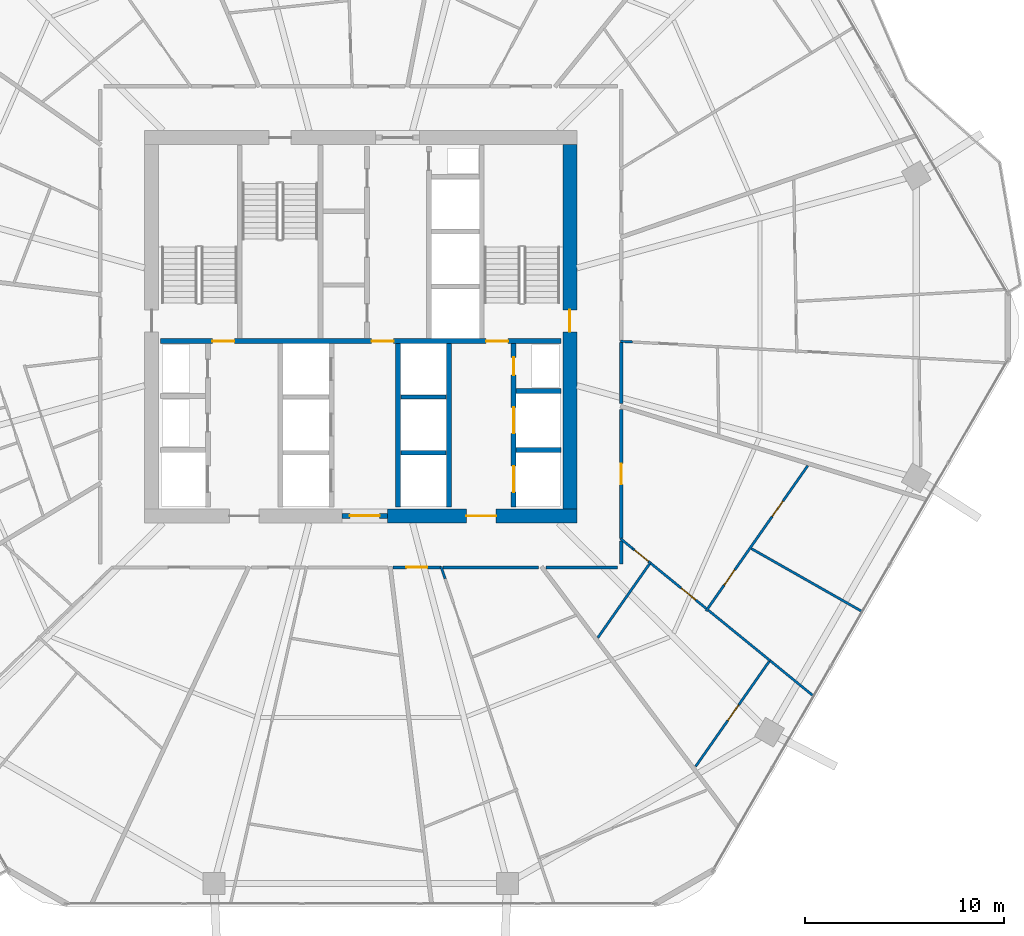
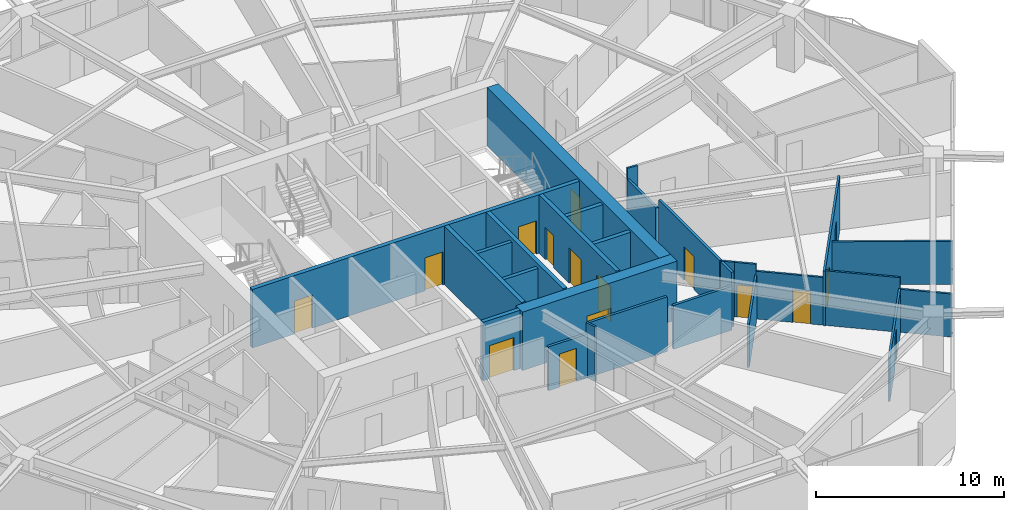
# One storey, part 26 of 32: 28 walls, 16 doors, 16 openings.
"""IFC4 building model written with IfcOpenShell, lengths in metres."""

from ifc_helpers import new_model, si_unit, direction, frame, frame_2d, origin, place, context, subcontext, project, spatial, rectangle, extrude, material, layer, layer_set, type_object, element, fill, save


model = new_model("IFC4")

# Units and contexts
model_context = context("Model", 3, precision=1e-05, world=origin(), true_north=direction((0.0, 1.0)))
body_context = subcontext(model_context, "Body", "Model", "MODEL_VIEW")
ifc_project = project(units=[si_unit("LENGTHUNIT", "METRE"), si_unit("AREAUNIT", "SQUARE_METRE"), si_unit("VOLUMEUNIT", "CUBIC_METRE"), si_unit("PLANEANGLEUNIT", "RADIAN"), si_unit("MASSUNIT", "GRAM", prefix="KILO")], contexts=[model_context])

# Site, building, storey
site_placement = place(None, origin())
site = spatial("IfcSite", under=ifc_project, at=site_placement, CompositionType="ELEMENT")
building_placement = place(site_placement, origin())
building = spatial("IfcBuilding", under=site, at=building_placement, Name="Zuhravey Tower", CompositionType="ELEMENT")
storey_placement = place(building_placement, frame((0.0, 0.0, 111.39990234375)))
storey = spatial("IfcBuildingStorey", under=building, at=storey_placement, Name="L27", CompositionType="ELEMENT", Elevation=111.39990234375)

# Wall, opening, door
ifc_material_1 = material(Name="Concrete C60/75", Category="concrete")
ifc_layer_1 = layer(ifc_material_1, 0.699951171875)
ifc_layer_set_1 = layer_set([ifc_layer_1], Name="Concrete C60/75")
wall_type_1 = type_object("IfcWallType", Name="Core Shear Wall 700", PredefinedType="SHEAR", material=ifc_layer_set_1)
wall_1_placement = place(storey_placement, frame((37.35009765625, 22.5, 0.0), z_axis=(0.0, 0.0, 1.0), x_axis=(1.0, 0.0, 0.0)))
wall_1 = element("IfcWall", 1, at=wall_1_placement, inside=storey, type_object=wall_type_1, Name="L27 South-East Core Shear Wall CW70", PredefinedType="SHEAR", context=body_context, shape_type="SweptSolid", body=[
    extrude(rectangle(XDim=9.5, YDim=0.699951171875, at=frame_2d((4.75, 0.0))), origin(), (0.0, 0.0, 1.0), 3.800048828125),
])
opening_1_placement = place(wall_1_placement, frame((3.949951171875, 0.0, 0.0)))
opening_1 = element("IfcOpeningElement", 2, at=opening_1_placement, cuts=wall_1, Name="Opening FFD1", PredefinedType="OPENING", context=body_context, shape_type="SweptSolid", body=[
    extrude(rectangle(XDim=1.5, YDim=2.14990234375, at=frame_2d((0.75, 1.074951171875))), frame((0.0, 0.362060546875, 0.0), z_axis=(0.0, -1.0, 0.0), x_axis=(1.0, 0.0, 0.0)), (0.0, 0.0, 1.0), 0.723876953125),
])
ifc_material_2 = material(Name="Galvanised fire-rated steel leaf", Category="steel")
door_type_1 = type_object("IfcDoorType", Name="Firefighting Lobby Double Door 1500x2150", OperationType="DOUBLE_DOOR_SINGLE_SWING", PredefinedType="DOOR", material=ifc_material_2)
door_1_placement = place(opening_1_placement, origin())
door_1 = element("IfcDoor", 3, at=door_1_placement, inside=storey, type_object=door_type_1, Name="L27 Firefighting Lobby East Door", OperationType="DOUBLE_DOOR_SINGLE_SWING", OverallHeight=2.14990234375, OverallWidth=1.5, PredefinedType="DOOR", context=body_context, shape_type="SweptSolid", body=[
    extrude(rectangle(XDim=1.5, YDim=2.14990234375, at=frame_2d((0.75, 1.074951171875))), frame((0.0, 0.02490234375, 0.0), z_axis=(0.0, -1.0, 0.0), x_axis=(1.0, 0.0, 0.0)), (0.0, 0.0, 1.0), 0.050048828125),
])
fill(opening_1, door_1)

wall_2_placement = place(storey_placement, frame((46.5, 22.85009765625, 0.0), z_axis=(0.0, 0.0, 1.0), x_axis=(0.0, 1.0, 0.0)))
wall_2 = element("IfcWall", 4, at=wall_2_placement, inside=storey, type_object=wall_type_1, Name="L27 East Core Shear Wall CW70", PredefinedType="SHEAR", context=body_context, shape_type="SweptSolid", body=[
    extrude(rectangle(XDim=18.2998046875, YDim=0.699951171875, at=frame_2d((9.14990234375, 0.0))), origin(), (0.0, 0.0, 1.0), 3.800048828125),
])
opening_2_placement = place(wall_2_placement, frame((8.89990234375, 0.0, 0.0)))
opening_2 = element("IfcOpeningElement", 5, at=opening_2_placement, cuts=wall_2, Name="Opening STD1", PredefinedType="OPENING", context=body_context, shape_type="SweptSolid", body=[
    extrude(rectangle(XDim=1.10009765625, YDim=2.14990234375, at=frame_2d((0.550048828125, 1.074951171875))), frame((0.0, 0.362060546875, 0.0), z_axis=(0.0, -1.0, 0.0), x_axis=(1.0, 0.0, 0.0)), (0.0, 0.0, 1.0), 0.723876953125),
])
door_type_2 = type_object("IfcDoorType", Name="Protected Stair Fire Door 1100x2150", OperationType="NOTDEFINED", PredefinedType="USERDEFINED", material=ifc_material_2)
door_2_placement = place(opening_2_placement, origin())
door_2 = element("IfcDoor", 6, at=door_2_placement, inside=storey, type_object=door_type_2, Name="L27 Stair ST2 Door", ObjectType="EXITDOOR", OperationType="SINGLE_SWING_LEFT", OverallHeight=2.14990234375, OverallWidth=1.10009765625, PredefinedType="USERDEFINED", context=body_context, shape_type="SweptSolid", body=[
    extrude(rectangle(XDim=1.10009765625, YDim=2.14990234375, at=frame_2d((0.550048828125, 1.074951171875))), frame((0.0, 0.02490234375, 0.0), z_axis=(0.0, -1.0, 0.0), x_axis=(1.0, 0.0, 0.0)), (0.0, 0.0, 1.0), 0.050048828125),
])
fill(opening_2, door_2)

ifc_material_3 = material(Name="Gypsum fire-rated stud partition")
ifc_layer_2 = layer(ifc_material_3, 0.159912109375)
ifc_layer_set_2 = layer_set([ifc_layer_2], Name="Gypsum fire-rated stud partition")
wall_type_2 = type_object("IfcWallType", Name="Corridor Fire Partition 160", PredefinedType="PARTITIONING", material=ifc_layer_set_2)
wall_3_placement = place(storey_placement, frame((37.610595703125, 19.919921875, 0.0), z_axis=(0.0, 0.0, 1.0), x_axis=(1.0, 0.0, 0.0)))
wall_3 = element("IfcWall", 7, at=wall_3_placement, inside=storey, type_object=wall_type_2, Name="L27 IW16 Partition 062", PredefinedType="PARTITIONING", context=body_context, shape_type="SweptSolid", body=[
    extrude(rectangle(XDim=2.414794921875, YDim=0.159912109375, at=frame_2d((1.20751953125, 0.0))), origin(), (0.0, 0.0, 1.0), 2.85009765625),
])
opening_3_placement = place(wall_3_placement, frame((0.6826171875, 0.0, 0.0)))
opening_3 = element("IfcOpeningElement", 8, at=opening_3_placement, cuts=wall_3, Name="Opening APD1", PredefinedType="OPENING", context=body_context, shape_type="SweptSolid", body=[
    extrude(rectangle(XDim=1.050048828125, YDim=2.14990234375, at=frame_2d((0.52490234375, 1.074951171875))), frame((0.0, 0.092041015625, 0.0), z_axis=(0.0, -1.0, 0.0), x_axis=(1.0, 0.0, 0.0)), (0.0, 0.0, 1.0), 0.183837890625),
])
ifc_material_4 = material(Name="Solid-core oak fire-rated leaf")
door_type_3 = type_object("IfcDoorType", Name="Apartment Entrance Fire Door 1050x2150", OperationType="NOTDEFINED", PredefinedType="DOOR", material=ifc_material_4)
door_3_placement = place(opening_3_placement, frame((1.050048828125, 0.0, 0.0), z_axis=(0.0, 0.0, 1.0), x_axis=(-1.0, 0.0, 0.0)))
door_3 = element("IfcDoor", 9, at=door_3_placement, inside=storey, type_object=door_type_3, Name="L27 Door 062.1", OperationType="SINGLE_SWING_LEFT", OverallHeight=2.14990234375, OverallWidth=1.050048828125, PredefinedType="DOOR", context=body_context, shape_type="SweptSolid", body=[
    extrude(rectangle(XDim=1.050048828125, YDim=2.14990234375, at=frame_2d((0.52490234375, 1.074951171875))), frame((0.0, 0.02490234375, 0.0), z_axis=(0.0, -1.0, 0.0), x_axis=(1.0, 0.0, 0.0)), (0.0, 0.0, 1.0), 0.050048828125),
])
fill(opening_3, door_3)

wall_4_placement = place(storey_placement, frame((49.080078125, 21.35791015625, 0.0), z_axis=(0.0, 0.0, 1.0), x_axis=(0.0, 1.0, 0.0)))
wall_4 = element("IfcWall", 10, at=wall_4_placement, inside=storey, type_object=wall_type_2, Name="L27 IW16 Partition 068", PredefinedType="PARTITIONING", context=body_context, shape_type="SweptSolid", body=[
    extrude(rectangle(XDim=6.4970703125, YDim=0.159912109375, at=frame_2d((3.24853515625, 0.0))), origin(), (0.0, 0.0, 1.0), 3.550048828125),
])
opening_4_placement = place(wall_4_placement, frame((2.723388671875, 0.0, 0.0)))
opening_4 = element("IfcOpeningElement", 11, at=opening_4_placement, cuts=wall_4, Name="Opening APD1", PredefinedType="OPENING", context=body_context, shape_type="SweptSolid", body=[
    extrude(rectangle(XDim=1.050048828125, YDim=2.14990234375, at=frame_2d((0.52490234375, 1.074951171875))), frame((0.0, 0.092041015625, 0.0), z_axis=(0.0, -1.0, 0.0), x_axis=(1.0, 0.0, 0.0)), (0.0, 0.0, 1.0), 0.183837890625),
])
door_4_placement = place(opening_4_placement, frame((1.050048828125, 0.0, 0.0), z_axis=(0.0, 0.0, 1.0), x_axis=(-1.0, 0.0, 0.0)))
door_4 = element("IfcDoor", 12, at=door_4_placement, inside=storey, type_object=door_type_3, Name="L27 Door 068.1", OperationType="SINGLE_SWING_LEFT", OverallHeight=2.14990234375, OverallWidth=1.050048828125, PredefinedType="DOOR", context=body_context, shape_type="SweptSolid", body=[
    extrude(rectangle(XDim=1.050048828125, YDim=2.14990234375, at=frame_2d((0.52490234375, 1.074951171875))), frame((0.0, 0.02490234375, 0.0), z_axis=(0.0, -1.0, 0.0), x_axis=(1.0, 0.0, 0.0)), (0.0, 0.0, 1.0), 0.050048828125),
])
fill(opening_4, door_4)

# Walls
wall_5_placement = place(storey_placement, frame((40.118408203125, 19.919921875, 0.0), z_axis=(0.0, 0.0, 1.0), x_axis=(1.0, 0.0, 0.0)))
element("IfcWall", 13, at=wall_5_placement, inside=storey, type_object=wall_type_2, Name="L27 IW16 Partition 148", PredefinedType="PARTITIONING", context=body_context, shape_type="SweptSolid", body=[
    extrude(rectangle(XDim=4.79541015625, YDim=0.159912109375, at=frame_2d((2.397705078125, 0.0))), origin(), (0.0, 0.0, 1.0), 3.550048828125),
])
wall_6_placement = place(storey_placement, frame((45.29443359375, 19.919921875, 0.0), z_axis=(0.0, 0.0, 1.0), x_axis=(1.0, 0.0, 0.0)))
element("IfcWall", 14, at=wall_6_placement, inside=storey, type_object=wall_type_2, Name="L27 IW16 Partition 149", PredefinedType="PARTITIONING", context=body_context, shape_type="SweptSolid", body=[
    extrude(rectangle(XDim=3.60546875, YDim=0.159912109375, at=frame_2d((1.802734375, 0.0))), origin(), (0.0, 0.0, 1.0), 2.85009765625),
])
wall_7_placement = place(storey_placement, frame((49.080078125, 20.10009765625, 0.0), z_axis=(0.0, 0.0, 1.0), x_axis=(0.0, 1.0, 0.0)))
element("IfcWall", 15, at=wall_7_placement, inside=storey, type_object=wall_type_2, Name="L27 IW16 Partition 150", PredefinedType="PARTITIONING", context=body_context, shape_type="SweptSolid", body=[
    extrude(rectangle(XDim=1.144287109375, YDim=0.159912109375, at=frame_2d((0.572265625, 0.0))), origin(), (0.0, 0.0, 1.0), 3.550048828125),
])
wall_8_placement = place(storey_placement, frame((49.080078125, 28.146484375, 0.0), z_axis=(0.0, 0.0, 1.0), x_axis=(0.0, 1.0, 0.0)))
element("IfcWall", 16, at=wall_8_placement, inside=storey, type_object=wall_type_2, Name="L27 IW16 Partition 151", PredefinedType="PARTITIONING", context=body_context, shape_type="SweptSolid", body=[
    extrude(rectangle(XDim=3.05419921875, YDim=0.159912109375, at=frame_2d((1.527099609375, 0.0))), origin(), (0.0, 0.0, 1.0), 2.85009765625),
])

# Wall, opening, door
ifc_material_5 = material(Name="Concrete C50/60", Category="concrete")
ifc_layer_3 = layer(ifc_material_5, 0.25)
ifc_layer_set_3 = layer_set([ifc_layer_3], Name="Concrete C50/60")
wall_type_3 = type_object("IfcWallType", Name="Firefighting Shaft & Stair Wall 250", PredefinedType="SOLIDWALL", material=ifc_layer_set_3)
wall_9_placement = place(storey_placement, frame((35.06005859375, 22.5, 0.0), z_axis=(0.0, 0.0, 1.0), x_axis=(1.0, 0.0, 0.0)))
wall_9 = element("IfcWall", 17, at=wall_9_placement, inside=storey, type_object=wall_type_3, Name="L27 FW25 Shaft Wall 001", PredefinedType="SOLIDWALL", context=body_context, shape_type="SweptSolid", body=[
    extrude(rectangle(XDim=2.280029296875, YDim=0.25, at=frame_2d((1.14013671875, 0.0))), origin(), (0.0, 0.0, 1.0), 3.800048828125),
])
opening_5_placement = place(wall_9_placement, frame((0.389892578125, 0.0, 0.0)))
opening_5 = element("IfcOpeningElement", 18, at=opening_5_placement, cuts=wall_9, Name="Opening FFD1", PredefinedType="OPENING", context=body_context, shape_type="SweptSolid", body=[
    extrude(rectangle(XDim=1.5, YDim=2.14990234375, at=frame_2d((0.75, 1.074951171875))), frame((0.0, 0.136962890625, 0.0), z_axis=(0.0, -1.0, 0.0), x_axis=(1.0, 0.0, 0.0)), (0.0, 0.0, 1.0), 0.27392578125),
])
door_5_placement = place(opening_5_placement, frame((1.5, 0.0, 0.0), z_axis=(0.0, 0.0, 1.0), x_axis=(-1.0, 0.0, 0.0)))
door_5 = element("IfcDoor", 19, at=door_5_placement, inside=storey, type_object=door_type_1, Name="L27 South Lift Lobby Exit Door", OperationType="DOUBLE_DOOR_SINGLE_SWING", OverallHeight=2.14990234375, OverallWidth=1.5, PredefinedType="DOOR", context=body_context, shape_type="SweptSolid", body=[
    extrude(rectangle(XDim=1.5, YDim=2.14990234375, at=frame_2d((0.75, 1.074951171875))), frame((0.0, 0.02490234375, 0.0), z_axis=(0.0, -1.0, 0.0), x_axis=(1.0, 0.0, 0.0)), (0.0, 0.0, 1.0), 0.050048828125),
])
fill(opening_5, door_5)

# Wall, openings, doors
wall_10_placement = place(storey_placement, frame((25.949951171875, 31.27490234375, 0.0), z_axis=(0.0, 0.0, 1.0), x_axis=(1.0, 0.0, 0.0)))
wall_10 = element("IfcWall", 20, at=wall_10_placement, inside=storey, type_object=wall_type_3, Name="L27 FW25 Shaft Wall 003", PredefinedType="SOLIDWALL", context=body_context, shape_type="SweptSolid", body=[
    extrude(rectangle(XDim=20.10009765625, YDim=0.25, at=frame_2d((10.050048828125, 0.0))), origin(), (0.0, 0.0, 1.0), 3.800048828125),
])
opening_6_placement = place(wall_10_placement, frame((2.60009765625, 0.0, 0.0)))
opening_6 = element("IfcOpeningElement", 21, at=opening_6_placement, cuts=wall_10, Name="Opening STD1", PredefinedType="OPENING", context=body_context, shape_type="SweptSolid", body=[
    extrude(rectangle(XDim=1.10009765625, YDim=2.14990234375, at=frame_2d((0.550048828125, 1.074951171875))), frame((0.0, 0.136962890625, 0.0), z_axis=(0.0, -1.0, 0.0), x_axis=(1.0, 0.0, 0.0)), (0.0, 0.0, 1.0), 0.27392578125),
])
opening_7_placement = place(wall_10_placement, frame((10.60009765625, 0.0, 0.0)))
opening_7 = element("IfcOpeningElement", 22, at=opening_7_placement, cuts=wall_10, Name="Opening STD1", PredefinedType="OPENING", context=body_context, shape_type="SweptSolid", body=[
    extrude(rectangle(XDim=1.10009765625, YDim=2.14990234375, at=frame_2d((0.550048828125, 1.074951171875))), frame((0.0, 0.136962890625, 0.0), z_axis=(0.0, -1.0, 0.0), x_axis=(1.0, 0.0, 0.0)), (0.0, 0.0, 1.0), 0.27392578125),
])
opening_8_placement = place(wall_10_placement, frame((16.35009765625, 0.0, 0.0)))
opening_8 = element("IfcOpeningElement", 23, at=opening_8_placement, cuts=wall_10, Name="Opening STD1", PredefinedType="OPENING", context=body_context, shape_type="SweptSolid", body=[
    extrude(rectangle(XDim=1.10009765625, YDim=2.14990234375, at=frame_2d((0.550048828125, 1.074951171875))), frame((0.0, 0.136962890625, 0.0), z_axis=(0.0, -1.0, 0.0), x_axis=(1.0, 0.0, 0.0)), (0.0, 0.0, 1.0), 0.27392578125),
])
door_6_placement = place(opening_6_placement, origin())
door_6 = element("IfcDoor", 24, at=door_6_placement, inside=storey, type_object=door_type_2, Name="L27 FFL-W to ST1 Door", ObjectType="EXITDOOR", OperationType="SINGLE_SWING_LEFT", OverallHeight=2.14990234375, OverallWidth=1.10009765625, PredefinedType="USERDEFINED", context=body_context, shape_type="SweptSolid", body=[
    extrude(rectangle(XDim=1.10009765625, YDim=2.14990234375, at=frame_2d((0.550048828125, 1.074951171875))), frame((0.0, 0.02490234375, 0.0), z_axis=(0.0, -1.0, 0.0), x_axis=(1.0, 0.0, 0.0)), (0.0, 0.0, 1.0), 0.050048828125),
])
fill(opening_6, door_6)
door_7_placement = place(opening_7_placement, origin())
door_7 = element("IfcDoor", 25, at=door_7_placement, inside=storey, type_object=door_type_2, Name="L27 Core Lobby Link Door", ObjectType="EXITDOOR", OperationType="SINGLE_SWING_RIGHT", OverallHeight=2.14990234375, OverallWidth=1.10009765625, PredefinedType="USERDEFINED", context=body_context, shape_type="SweptSolid", body=[
    extrude(rectangle(XDim=1.10009765625, YDim=2.14990234375, at=frame_2d((0.550048828125, 1.074951171875))), frame((0.0, 0.02490234375, 0.0), z_axis=(0.0, -1.0, 0.0), x_axis=(1.0, 0.0, 0.0)), (0.0, 0.0, 1.0), 0.050048828125),
])
fill(opening_7, door_7)
door_8_placement = place(opening_8_placement, origin())
door_8 = element("IfcDoor", 26, at=door_8_placement, inside=storey, type_object=door_type_2, Name="L27 FFL-E to ST2 Door", ObjectType="EXITDOOR", OperationType="SINGLE_SWING_LEFT", OverallHeight=2.14990234375, OverallWidth=1.10009765625, PredefinedType="USERDEFINED", context=body_context, shape_type="SweptSolid", body=[
    extrude(rectangle(XDim=1.10009765625, YDim=2.14990234375, at=frame_2d((0.550048828125, 1.074951171875))), frame((0.0, 0.02490234375, 0.0), z_axis=(0.0, -1.0, 0.0), x_axis=(1.0, 0.0, 0.0)), (0.0, 0.0, 1.0), 0.050048828125),
])
fill(opening_8, door_8)

# Walls
for number, where, z_axis, x_axis, name in (
    (27, (37.875, 22.949951171875, 0.0), (0.0, 0.0, 1.0), (0.0, 1.0, 0.0), "L27 FW25 Shaft Wall 014"),
    (28, (40.425048828125, 22.949951171875, 0.0), (0.0, 0.0, 1.0), (0.0, 1.0, 0.0), "L27 FW25 Shaft Wall 015"),
):
    element("IfcWall", number, at=place(storey_placement, frame(where, z_axis=z_axis, x_axis=x_axis)), inside=storey, type_object=wall_type_3, Name=name, PredefinedType="SOLIDWALL", context=body_context, shape_type="SweptSolid", body=[
        extrude(rectangle(XDim=8.199951171875, YDim=0.25, at=frame_2d((4.10009765625, 0.0))), origin(), (0.0, 0.0, 1.0), 3.800048828125),
    ])
for number, where, z_axis, x_axis, name in (
    (29, (43.800048828125, 25.824951171875, 0.0), (0.0, 0.0, 1.0), (1.0, 0.0, 0.0), "L27 FW25 Shaft Wall 016"),
    (30, (43.800048828125, 28.77490234375, 0.0), (0.0, 0.0, 1.0), (1.0, 0.0, 0.0), "L27 FW25 Shaft Wall 017"),
):
    element("IfcWall", number, at=place(storey_placement, frame(where, z_axis=z_axis, x_axis=x_axis)), inside=storey, type_object=wall_type_3, Name=name, PredefinedType="SOLIDWALL", context=body_context, shape_type="SweptSolid", body=[
        extrude(rectangle(XDim=2.25, YDim=0.25, at=frame_2d((1.125, 0.0))), origin(), (0.0, 0.0, 1.0), 3.800048828125),
    ])

# Wall, openings, doors
wall_11_placement = place(storey_placement, frame((43.675048828125, 22.949951171875, 0.0), z_axis=(0.0, 0.0, 1.0), x_axis=(0.0, 1.0, 0.0)))
wall_11 = element("IfcWall", 31, at=wall_11_placement, inside=storey, type_object=wall_type_3, Name="L27 FW25 Shaft Wall 018", PredefinedType="SOLIDWALL", context=body_context, shape_type="SweptSolid", body=[
    extrude(rectangle(XDim=8.199951171875, YDim=0.25, at=frame_2d((4.10009765625, 0.0))), origin(), (0.0, 0.0, 1.0), 3.800048828125),
])
opening_9_placement = place(wall_11_placement, frame((0.75, 0.0, 0.0)))
opening_9 = element("IfcOpeningElement", 32, at=opening_9_placement, cuts=wall_11, Name="Opening LD2", PredefinedType="OPENING", context=body_context, shape_type="SweptSolid", body=[
    extrude(rectangle(XDim=1.300048828125, YDim=2.300048828125, at=frame_2d((0.64990234375, 1.14990234375))), frame((0.0, 0.136962890625, 0.0), z_axis=(0.0, -1.0, 0.0), x_axis=(1.0, 0.0, 0.0)), (0.0, 0.0, 1.0), 0.27392578125),
])
opening_10_placement = place(wall_11_placement, frame((3.699951171875, 0.0, 0.0)))
opening_10 = element("IfcOpeningElement", 33, at=opening_10_placement, cuts=wall_11, Name="Opening LD2", PredefinedType="OPENING", context=body_context, shape_type="SweptSolid", body=[
    extrude(rectangle(XDim=1.300048828125, YDim=2.300048828125, at=frame_2d((0.64990234375, 1.14990234375))), frame((0.0, 0.136962890625, 0.0), z_axis=(0.0, -1.0, 0.0), x_axis=(1.0, 0.0, 0.0)), (0.0, 0.0, 1.0), 0.27392578125),
])
opening_11_placement = place(wall_11_placement, frame((6.6201171875, 0.0, 0.0)))
opening_11 = element("IfcOpeningElement", 34, at=opening_11_placement, cuts=wall_11, Name="Opening RSD1", PredefinedType="OPENING", context=body_context, shape_type="SweptSolid", body=[
    extrude(rectangle(XDim=0.89990234375, YDim=2.10009765625, at=frame_2d((0.449951171875, 1.050048828125))), frame((0.0, 0.136962890625, 0.0), z_axis=(0.0, -1.0, 0.0), x_axis=(1.0, 0.0, 0.0)), (0.0, 0.0, 1.0), 0.27392578125),
])
ifc_material_6 = material(Name="Brushed stainless steel", Category="steel")
door_type_4 = type_object("IfcDoorType", Name="Freight & Stretcher Lift Sliding Door 1300x2300", OperationType="DOUBLE_DOOR_SLIDING", PredefinedType="DOOR", material=ifc_material_6)
door_9_placement = place(opening_9_placement, origin())
door_9 = element("IfcDoor", 35, at=door_9_placement, inside=storey, type_object=door_type_4, Name="L27 Lift FF2 Landing Door", OperationType="DOUBLE_DOOR_SLIDING", OverallHeight=2.300048828125, OverallWidth=1.300048828125, PredefinedType="DOOR", context=body_context, shape_type="SweptSolid", body=[
    extrude(rectangle(XDim=1.300048828125, YDim=2.300048828125, at=frame_2d((0.64990234375, 1.14990234375))), frame((0.0, 0.02490234375, 0.0), z_axis=(0.0, -1.0, 0.0), x_axis=(1.0, 0.0, 0.0)), (0.0, 0.0, 1.0), 0.050048828125),
])
fill(opening_9, door_9)
door_10_placement = place(opening_10_placement, origin())
door_10 = element("IfcDoor", 36, at=door_10_placement, inside=storey, type_object=door_type_4, Name="L27 Lift SV1 Landing Door", OperationType="DOUBLE_DOOR_SLIDING", OverallHeight=2.300048828125, OverallWidth=1.300048828125, PredefinedType="DOOR", context=body_context, shape_type="SweptSolid", body=[
    extrude(rectangle(XDim=1.300048828125, YDim=2.300048828125, at=frame_2d((0.64990234375, 1.14990234375))), frame((0.0, 0.02490234375, 0.0), z_axis=(0.0, -1.0, 0.0), x_axis=(1.0, 0.0, 0.0)), (0.0, 0.0, 1.0), 0.050048828125),
])
fill(opening_10, door_10)
ifc_material_7 = material(Name="Galvanised fire-rated steel access leaf", Category="steel")
door_type_5 = type_object("IfcDoorType", Name="Riser & Shaft Access Fire Door 900x2100", OperationType="NOTDEFINED", PredefinedType="DOOR", material=ifc_material_7)
door_11_placement = place(opening_11_placement, origin())
door_11 = element("IfcDoor", 37, at=door_11_placement, inside=storey, type_object=door_type_5, Name="L27 Plumbing Riser Door", OperationType="SINGLE_SWING_RIGHT", OverallHeight=2.10009765625, OverallWidth=0.89990234375, PredefinedType="DOOR", context=body_context, shape_type="SweptSolid", body=[
    extrude(rectangle(XDim=0.89990234375, YDim=2.10009765625, at=frame_2d((0.449951171875, 1.050048828125))), frame((0.0, 0.02490234375, 0.0), z_axis=(0.0, -1.0, 0.0), x_axis=(1.0, 0.0, 0.0)), (0.0, 0.0, 1.0), 0.050048828125),
])
fill(opening_11, door_11)

# Walls
ifc_material_8 = material(Name="Gypsum acoustic stud assembly")
ifc_layer_4 = layer(ifc_material_8, 0.219970703125)
ifc_layer_set_4 = layer_set([ifc_layer_4], Name="Gypsum acoustic stud assembly")
wall_type_4 = type_object("IfcWallType", Name="School Acoustic Compartment Wall 220", PredefinedType="PARTITIONING", material=ifc_layer_set_4)
for number, where, z_axis, x_axis, name in (
    (38, (38.008056640625, 25.675048828125, 0.0), (0.0, 0.0, 1.0), (1.0, 0.0, 0.0), "L27 IW22 Partition 082"),
    (39, (38.008056640625, 28.47509765625, 0.0), (0.0, 0.0, 1.0), (1.0, 0.0, 0.0), "L27 IW22 Partition 083"),
):
    element("IfcWall", number, at=place(storey_placement, frame(where, z_axis=z_axis, x_axis=x_axis)), inside=storey, type_object=wall_type_4, Name=name, PredefinedType="PARTITIONING", context=body_context, shape_type="SweptSolid", body=[
        extrude(rectangle(XDim=2.283935546875, YDim=0.219970703125, at=frame_2d((1.14208984375, 0.0))), origin(), (0.0, 0.0, 1.0), 3.550048828125),
    ])

# Wall, openings, doors
ifc_material_9 = material(Name="Gypsum metal-stud partition")
ifc_layer_5 = layer(ifc_material_9, 0.1201171875)
ifc_layer_set_5 = layer_set([ifc_layer_5], Name="Gypsum metal-stud partition")
wall_type_5 = type_object("IfcWallType", Name="Unit Internal Partition 120", PredefinedType="PARTITIONING", material=ifc_layer_set_5)
wall_12_placement = place(storey_placement, frame((53.33544921875, 17.732421875, 0.0), z_axis=(0.0, 0.0, 1.0), x_axis=(0.573576398243, 0.819152070972, 0.0)))
wall_12 = element("IfcWall", 40, at=wall_12_placement, inside=storey, type_object=wall_type_5, Name="L27 IW12 Partition 063", PredefinedType="PARTITIONING", context=body_context, shape_type="SweptSolid", body=[
    extrude(rectangle(XDim=8.90673828125, YDim=0.1201171875, at=frame_2d((4.453369140625, 0.0))), origin(), (0.0, 0.0, 1.0), 3.550048828125),
])
opening_12_placement = place(wall_12_placement, frame((1.576416015625, 0.0, 0.0)))
opening_12 = element("IfcOpeningElement", 41, at=opening_12_placement, cuts=wall_12, Name="Opening IND1", PredefinedType="OPENING", context=body_context, shape_type="SweptSolid", body=[
    extrude(rectangle(XDim=0.949951171875, YDim=2.10009765625, at=frame_2d((0.47509765625, 1.050048828125))), frame((0.0, 0.072021484375, 0.0), z_axis=(0.0, -1.0, 0.0), x_axis=(1.0, 0.0, 0.0)), (0.0, 0.0, 1.0), 0.14404296875),
])
opening_13_placement = place(wall_12_placement, frame((5.789306640625, 0.0, 0.0)))
opening_13 = element("IfcOpeningElement", 42, at=opening_13_placement, cuts=wall_12, Name="Opening IND1", PredefinedType="OPENING", context=body_context, shape_type="SweptSolid", body=[
    extrude(rectangle(XDim=0.949951171875, YDim=2.10009765625, at=frame_2d((0.47509765625, 1.050048828125))), frame((0.0, 0.072021484375, 0.0), z_axis=(0.0, -1.0, 0.0), x_axis=(1.0, 0.0, 0.0)), (0.0, 0.0, 1.0), 0.14404296875),
])
ifc_material_10 = material(Name="Painted engineered timber leaf", Category="wood")
door_type_6 = type_object("IfcDoorType", Name="Internal Room & Bedroom Door 950x2100", OperationType="NOTDEFINED", PredefinedType="DOOR", material=ifc_material_10)
door_12_placement = place(opening_12_placement, frame((0.949951171875, 0.0, 0.0), z_axis=(0.0, 0.0, 1.0), x_axis=(-1.0, 0.0, 0.0)))
door_12 = element("IfcDoor", 43, at=door_12_placement, inside=storey, type_object=door_type_6, Name="Apartment L27-10 Family Study Door", OperationType="SINGLE_SWING_RIGHT", OverallHeight=2.10009765625, OverallWidth=0.949951171875, PredefinedType="DOOR", context=body_context, shape_type="SweptSolid", body=[
    extrude(rectangle(XDim=0.949951171875, YDim=2.10009765625, at=frame_2d((0.47509765625, 1.050048828125))), frame((0.0, 0.02490234375, 0.0), z_axis=(0.0, -1.0, 0.0), x_axis=(1.0, 0.0, 0.0)), (0.0, 0.0, 1.0), 0.050048828125),
])
fill(opening_12, door_12)
door_13_placement = place(opening_13_placement, frame((0.949951171875, 0.0, 0.0), z_axis=(0.0, 0.0, 1.0), x_axis=(-1.0, 0.0, 0.0)))
door_13 = element("IfcDoor", 44, at=door_13_placement, inside=storey, type_object=door_type_6, Name="Apartment L27-10 Dining Room Door", OperationType="SINGLE_SWING_LEFT", OverallHeight=2.10009765625, OverallWidth=0.949951171875, PredefinedType="DOOR", context=body_context, shape_type="SweptSolid", body=[
    extrude(rectangle(XDim=0.949951171875, YDim=2.10009765625, at=frame_2d((0.47509765625, 1.050048828125))), frame((0.0, 0.02490234375, 0.0), z_axis=(0.0, -1.0, 0.0), x_axis=(1.0, 0.0, 0.0)), (0.0, 0.0, 1.0), 0.050048828125),
])
fill(opening_13, door_13)

# Wall, opening, door
wall_13_placement = place(storey_placement, frame((49.64990234375, 20.8671875, 0.0), z_axis=(0.0, 0.0, 1.0), x_axis=(0.775048691625, -0.631901515752, 0.0)))
wall_13 = element("IfcWall", 45, at=wall_13_placement, inside=storey, type_object=wall_type_5, Name="L27 IW12 Partition 064", PredefinedType="PARTITIONING", context=body_context, shape_type="SweptSolid", body=[
    extrude(rectangle(XDim=1.164794921875, YDim=0.1201171875, at=frame_2d((0.58251953125, 0.0))), origin(), (0.0, 0.0, 1.0), 3.550048828125),
])
opening_14_placement = place(wall_13_placement, frame((0.1201171875, 0.0, 0.0)))
opening_14 = element("IfcOpeningElement", 46, at=opening_14_placement, cuts=wall_13, Name="Opening WCD1", PredefinedType="OPENING", context=body_context, shape_type="SweptSolid", body=[
    extrude(rectangle(XDim=0.89990234375, YDim=2.10009765625, at=frame_2d((0.449951171875, 1.050048828125))), frame((0.0, 0.072021484375, 0.0), z_axis=(0.0, -1.0, 0.0), x_axis=(1.0, 0.0, 0.0)), (0.0, 0.0, 1.0), 0.14404296875),
])
ifc_material_11 = material(Name="Moisture-resistant timber leaf", Category="wood")
door_type_7 = type_object("IfcDoorType", Name="Bathroom & WC Internal Door 900x2100", OperationType="NOTDEFINED", PredefinedType="DOOR", material=ifc_material_11)
door_14_placement = place(opening_14_placement, frame((0.89990234375, 0.0, 0.0), z_axis=(0.0, 0.0, 1.0), x_axis=(-1.0, 0.0, 0.0)))
door_14 = element("IfcDoor", 47, at=door_14_placement, inside=storey, type_object=door_type_7, Name="Apartment L27-10 Bathroom Door", OperationType="SINGLE_SWING_RIGHT", OverallHeight=2.10009765625, OverallWidth=0.89990234375, PredefinedType="DOOR", context=body_context, shape_type="SweptSolid", body=[
    extrude(rectangle(XDim=0.89990234375, YDim=2.10009765625, at=frame_2d((0.449951171875, 1.050048828125))), frame((0.0, 0.02490234375, 0.0), z_axis=(0.0, -1.0, 0.0), x_axis=(1.0, 0.0, 0.0)), (0.0, 0.0, 1.0), 0.050048828125),
])
fill(opening_14, door_14)

wall_14_placement = place(storey_placement, frame((50.552734375, 20.131103515625, 0.0), z_axis=(0.0, 0.0, 1.0), x_axis=(0.7749603795, -0.632009818124, 0.0)))
wall_14 = element("IfcWall", 48, at=wall_14_placement, inside=storey, type_object=wall_type_5, Name="L27 IW12 Partition 065", PredefinedType="PARTITIONING", context=body_context, shape_type="SweptSolid", body=[
    extrude(rectangle(XDim=3.5966796875, YDim=0.1201171875, at=frame_2d((1.79833984375, 0.0))), origin(), (0.0, 0.0, 1.0), 3.10009765625),
])
opening_15_placement = place(wall_14_placement, frame((1.97119140625, 0.0, 0.0)))
opening_15 = element("IfcOpeningElement", 49, at=opening_15_placement, cuts=wall_14, Name="Opening IND1", PredefinedType="OPENING", context=body_context, shape_type="SweptSolid", body=[
    extrude(rectangle(XDim=0.949951171875, YDim=2.10009765625, at=frame_2d((0.47509765625, 1.050048828125))), frame((0.0, 0.072021484375, 0.0), z_axis=(0.0, -1.0, 0.0), x_axis=(1.0, 0.0, 0.0)), (0.0, 0.0, 1.0), 0.14404296875),
])
door_15_placement = place(opening_15_placement, frame((0.949951171875, 0.0, 0.0), z_axis=(0.0, 0.0, 1.0), x_axis=(-1.0, 0.0, 0.0)))
door_15 = element("IfcDoor", 50, at=door_15_placement, inside=storey, type_object=door_type_6, Name="Apartment L27-10 Home Office Door", OperationType="SINGLE_SWING_LEFT", OverallHeight=2.10009765625, OverallWidth=0.949951171875, PredefinedType="DOOR", context=body_context, shape_type="SweptSolid", body=[
    extrude(rectangle(XDim=0.949951171875, YDim=2.10009765625, at=frame_2d((0.47509765625, 1.050048828125))), frame((0.0, 0.02490234375, 0.0), z_axis=(0.0, -1.0, 0.0), x_axis=(1.0, 0.0, 0.0)), (0.0, 0.0, 1.0), 0.050048828125),
])
fill(opening_15, door_15)

# Wall
wall_15_placement = place(storey_placement, frame((53.44580078125, 17.771484375, 0.0), z_axis=(0.0, 0.0, 1.0), x_axis=(0.774958236323, -0.632012446045, 0.0)))
element("IfcWall", 51, at=wall_15_placement, inside=storey, type_object=wall_type_5, Name="L27 IW12 Partition 066", PredefinedType="PARTITIONING", context=body_context, shape_type="SweptSolid", body=[
    extrude(rectangle(XDim=4.01708984375, YDim=0.1201171875, at=frame_2d((2.008544921875, 0.0))), origin(), (0.0, 0.0, 1.0), 3.550048828125),
])

# Wall, opening, door
wall_16_placement = place(storey_placement, frame((52.812255859375, 9.925537109375, 0.0), z_axis=(0.0, 0.0, 1.0), x_axis=(0.573569367982, 0.819156993569, 0.0)))
wall_16 = element("IfcWall", 52, at=wall_16_placement, inside=storey, type_object=wall_type_5, Name="L27 IW12 Partition 067", PredefinedType="PARTITIONING", context=body_context, shape_type="SweptSolid", body=[
    extrude(rectangle(XDim=6.429931640625, YDim=0.1201171875, at=frame_2d((3.21484375, 0.0))), origin(), (0.0, 0.0, 1.0), 2.85009765625),
])
opening_16_placement = place(wall_16_placement, frame((2.82421875, 0.0, 0.0)))
opening_16 = element("IfcOpeningElement", 53, at=opening_16_placement, cuts=wall_16, Name="Opening IND1", PredefinedType="OPENING", context=body_context, shape_type="SweptSolid", body=[
    extrude(rectangle(XDim=0.949951171875, YDim=2.10009765625, at=frame_2d((0.47509765625, 1.050048828125))), frame((0.0, 0.072021484375, 0.0), z_axis=(0.0, -1.0, 0.0), x_axis=(1.0, 0.0, 0.0)), (0.0, 0.0, 1.0), 0.14404296875),
])
door_16_placement = place(opening_16_placement, frame((0.949951171875, 0.0, 0.0), z_axis=(0.0, 0.0, 1.0), x_axis=(-1.0, 0.0, 0.0)))
door_16 = element("IfcDoor", 54, at=door_16_placement, inside=storey, type_object=door_type_6, Name="Apartment L27-10 Bedroom 1 Door", OperationType="SINGLE_SWING_RIGHT", OverallHeight=2.10009765625, OverallWidth=0.949951171875, PredefinedType="DOOR", context=body_context, shape_type="SweptSolid", body=[
    extrude(rectangle(XDim=0.949951171875, YDim=2.10009765625, at=frame_2d((0.47509765625, 1.050048828125))), frame((0.0, 0.02490234375, 0.0), z_axis=(0.0, -1.0, 0.0), x_axis=(1.0, 0.0, 0.0)), (0.0, 0.0, 1.0), 0.050048828125),
])
fill(opening_16, door_16)

# Walls
wall_17_placement = place(storey_placement, frame((40.031982421875, 19.963623046875, 0.0), z_axis=(0.0, 0.0, 1.0), x_axis=(0.317698912626, -0.948191647778, 0.0)))
element("IfcWall", 55, at=wall_17_placement, inside=storey, type_object=wall_type_5, Name="L27 IW12 Partition 124", PredefinedType="PARTITIONING", context=body_context, shape_type="SweptSolid", body=[
    extrude(rectangle(XDim=0.64697265625, YDim=0.1201171875, at=frame_2d((0.323486328125, 0.0))), origin(), (0.0, 0.0, 1.0), 3.550048828125),
])
wall_18_placement = place(storey_placement, frame((55.60986328125, 20.8623046875, 0.0), z_axis=(0.0, 0.0, 1.0), x_axis=(0.869533184144, -0.493874520169, 0.0)))
element("IfcWall", 56, at=wall_18_placement, inside=storey, type_object=wall_type_5, Name="L27 IW12 Partition 128", PredefinedType="PARTITIONING", context=body_context, shape_type="SweptSolid", body=[
    extrude(rectangle(XDim=6.437255859375, YDim=0.1201171875, at=frame_2d((3.21875, 0.0))), origin(), (0.0, 0.0, 1.0), 2.800048828125),
])
wall_19_placement = place(storey_placement, frame((49.04833984375, 21.35791015625, 0.0), z_axis=(0.0, 0.0, 1.0), x_axis=(0.774881234923, -0.63210685154, 0.0)))
element("IfcWall", 57, at=wall_19_placement, inside=storey, type_object=wall_type_5, Name="L27 IW12 Partition 129", PredefinedType="PARTITIONING", context=body_context, shape_type="SweptSolid", body=[
    extrude(rectangle(XDim=0.7763671875, YDim=0.1201171875, at=frame_2d((0.38818359375, 0.0))), origin(), (0.0, 0.0, 1.0), 3.550048828125),
])
wall_20_placement = place(storey_placement, frame((56.558837890625, 15.232666015625, 0.0), z_axis=(0.0, 0.0, 1.0), x_axis=(0.774954560458, -0.632016953274, 0.0)))
element("IfcWall", 58, at=wall_20_placement, inside=storey, type_object=wall_type_5, Name="L27 IW12 Partition 130", PredefinedType="PARTITIONING", context=body_context, shape_type="SweptSolid", body=[
    extrude(rectangle(XDim=2.8115234375, YDim=0.1201171875, at=frame_2d((1.40576171875, 0.0))), origin(), (0.0, 0.0, 1.0), 2.800048828125),
])
wall_21_placement = place(storey_placement, frame((47.900634765625, 16.386962890625, 0.0), z_axis=(0.0, 0.0, 1.0), x_axis=(0.573556554724, 0.819165965195, 0.0)))
element("IfcWall", 59, at=wall_21_placement, inside=storey, type_object=wall_type_5, Name="L27 IW12 Partition 131", PredefinedType="PARTITIONING", context=body_context, shape_type="SweptSolid", body=[
    extrude(rectangle(XDim=4.521728515625, YDim=0.1201171875, at=frame_2d((2.2607421875, 0.0))), origin(), (0.0, 0.0, 1.0), 2.85009765625),
])
wall_22_placement = place(storey_placement, frame((49.034912109375, 31.271240234375, 0.0), z_axis=(0.0, 0.0, 1.0), x_axis=(0.998437094127, -0.055887110072, 0.0)))
element("IfcWall", 60, at=wall_22_placement, inside=storey, type_object=wall_type_5, Name="L27 IW12 Partition 134", PredefinedType="PARTITIONING", context=body_context, shape_type="SweptSolid", body=[
    extrude(rectangle(XDim=0.615966796875, YDim=0.1201171875, at=frame_2d((0.30810546875, 0.0))), origin(), (0.0, 0.0, 1.0), 3.550048828125),
])

save(model, "model.ifc")
